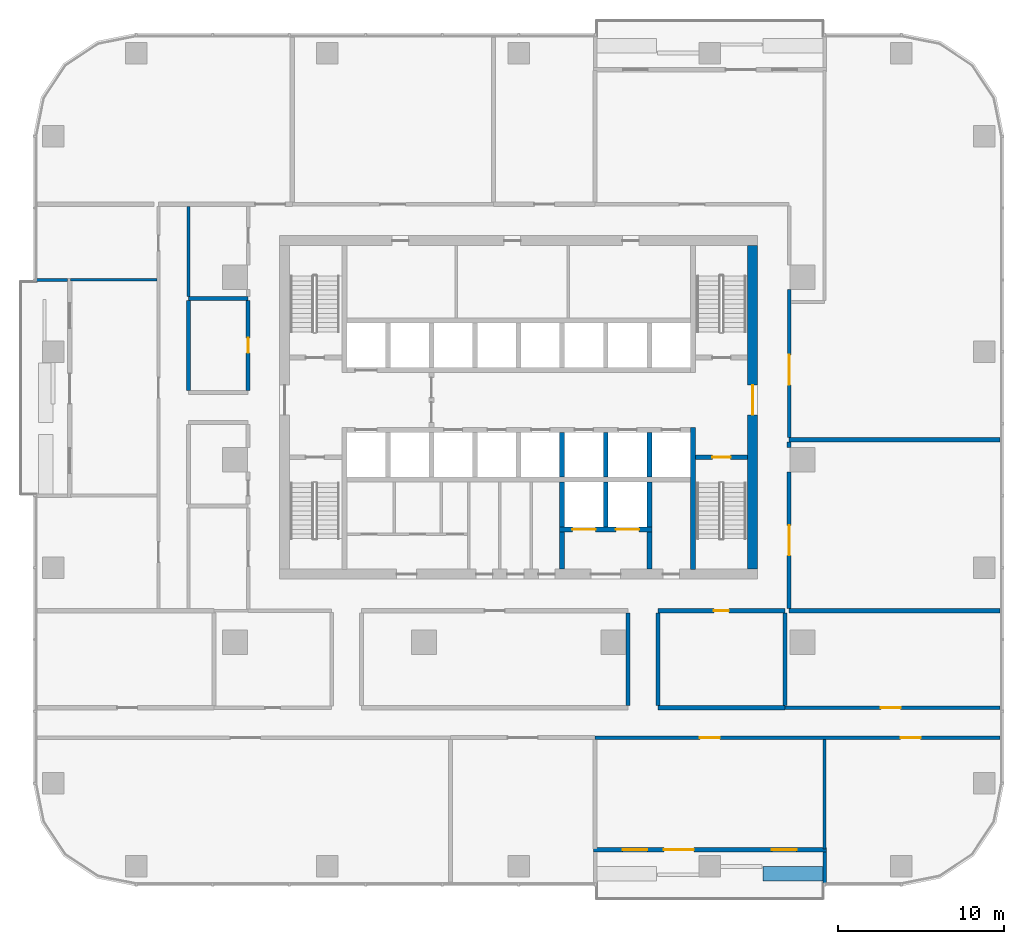
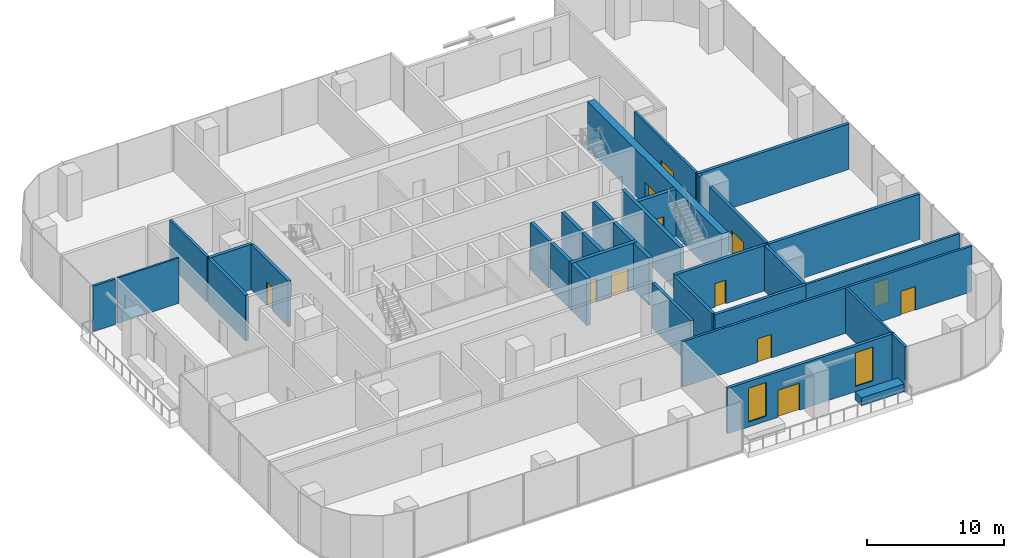
# One storey, part 9 of 15: 34 walls, 12 doors, 2 windows, 14 openings.
"""IFC4 building model written with IfcOpenShell, lengths in metres."""

import ifcopenshell
import ifcopenshell.guid

model = None  # the IFC model being written
_history = None  # IfcOwnerHistory: only IFC2X3 demands one
_inside = {}  # id of a spatial element -> (the spatial element, [elements in it])
_under = {}  # id of a project, library or spatial element -> (it, [spatial elements below it])
_declared = {}  # id of a project -> (the project, [libraries it declares])
_typed = {}  # id of a type object -> (the type object, [elements of that type])
_made_of = {}  # id of a material, layer set ... -> (it, [elements and type objects made of it])


def new_model(schema):
    """Start an empty IFC model of exactly this schema.

    Asked for "IFC4X3", IfcOpenShell would pick the latest addendum, in which some entities
    have other attributes; the version numbers below select the first issue.
    IFC2X3 requires an IfcOwnerHistory on every rooted entity: one is made here for all.
    """
    global model, _history
    if schema == "IFC4X3":
        model = ifcopenshell.file(schema_version=(4, 3, 0, 0))
    else:
        model = ifcopenshell.file(schema=schema)
    _inside.clear()
    _under.clear()
    _declared.clear()
    _typed.clear()
    _made_of.clear()
    _history = None
    if model.schema == "IFC2X3":
        org = make("IfcOrganization", Name="unknown")
        user = make(
            "IfcPersonAndOrganization",
            ThePerson=make("IfcPerson", FamilyName="unknown"),
            TheOrganization=org,
        )
        app = make(
            "IfcApplication",
            ApplicationDeveloper=org,
            Version="unknown",
            ApplicationFullName="unknown",
            ApplicationIdentifier="unknown",
        )
        _history = make(
            "IfcOwnerHistory",
            OwningUser=user,
            OwningApplication=app,
            ChangeAction="ADDED",
            CreationDate=0,
        )
    return model


def make(cls, **values):
    """One entity of the class cls with the attributes given. An attribute that is None is left unset."""
    return model.create_entity(
        cls, **{name: value for name, value in values.items() if value is not None}
    )


def rooted(cls, **values):
    """An entity with a GlobalId (a new one), such as an element, a storey or a relation."""
    return make(cls, GlobalId=ifcopenshell.guid.new(), OwnerHistory=_history, **values)


def si_unit(unit_type, name, prefix=None):
    """IfcSIUnit, for example si_unit("LENGTHUNIT", "METRE", prefix="MILLI")."""
    return make("IfcSIUnit", UnitType=unit_type, Prefix=prefix, Name=name)


def assignment(units):
    """IfcUnitAssignment: the units of a project."""
    return None if units is None else make("IfcUnitAssignment", Units=units)


def point(xyz):
    """IfcCartesianPoint."""
    return None if xyz is None else make("IfcCartesianPoint", Coordinates=xyz)


def direction(xyz):
    """IfcDirection."""
    return None if xyz is None else make("IfcDirection", DirectionRatios=xyz)


def frame(location, z_axis=None, x_axis=None):
    """IfcAxis2Placement3D, a coordinate frame: its origin and axes. An axis left out is left unset."""
    return make(
        "IfcAxis2Placement3D",
        Location=point(location),
        Axis=direction(z_axis),
        RefDirection=direction(x_axis),
    )


def frame_2d(location, x_axis=None):
    """IfcAxis2Placement2D, a coordinate frame in the plane: its origin and x axis."""
    return make(
        "IfcAxis2Placement2D", Location=point(location), RefDirection=direction(x_axis)
    )


def origin():
    """The frame at (0, 0, 0) with its axes left unset."""
    return frame((0.0, 0.0, 0.0))


def place(relative_to, where):
    """IfcLocalPlacement: puts the frame where relative to a parent placement (None: the world)."""
    return make(
        "IfcLocalPlacement", PlacementRelTo=relative_to, RelativePlacement=where
    )


def context(
    kind, dimensions, precision=None, world=None, true_north=None, identifier=None
):
    """IfcGeometricRepresentationContext, for example the 3D "Model" context."""
    return make(
        "IfcGeometricRepresentationContext",
        ContextIdentifier=identifier,
        ContextType=kind,
        CoordinateSpaceDimension=dimensions,
        Precision=precision,
        WorldCoordinateSystem=world,
        TrueNorth=true_north,
    )


def subcontext(parent, identifier, kind, view, scale=None):
    """IfcGeometricRepresentationSubContext, for example "Body" below "Model"."""
    return make(
        "IfcGeometricRepresentationSubContext",
        ContextIdentifier=identifier,
        ContextType=kind,
        ParentContext=parent,
        TargetScale=scale,
        TargetView=view,
    )


def project(units=None, contexts=None):
    """IfcProject with its units and contexts."""
    return rooted(
        "IfcProject",
        Name="project",
        RepresentationContexts=contexts,
        UnitsInContext=assignment(units),
    )


def spatial(cls, under=None, at=None, **own):
    """A site, building, storey or space (cls), placed at a placement, below another one or the project."""
    s = rooted(cls, ObjectPlacement=at, **own)
    if under is not None:
        _under.setdefault(under.id(), (under, []))[1].append(s)
    return s


def profile(cls, at=None, kind="AREA", **sizes):
    """A parametric profile (cls). Its sizes go by their IFC names, for example OverallWidth=200.0."""
    return make(cls, ProfileType=kind, Position=at, **sizes)


def rectangle(**sizes):
    """IfcRectangleProfileDef."""
    return profile("IfcRectangleProfileDef", **sizes)


def extrude(swept, where, along, depth):
    """IfcExtrudedAreaSolid: the profile swept, set in the frame where, extruded along a direction by depth."""
    return make(
        "IfcExtrudedAreaSolid",
        SweptArea=swept,
        Position=where,
        ExtrudedDirection=direction(along),
        Depth=depth,
    )


def shape(context_of_items, identifier, shape_type, items):
    """IfcShapeRepresentation: the items that make up one representation, for example the "Body"."""
    return make(
        "IfcShapeRepresentation",
        ContextOfItems=context_of_items,
        RepresentationIdentifier=identifier,
        RepresentationType=shape_type,
        Items=items,
    )


def material(Name=None, Category=None):
    """IfcMaterial."""
    return make("IfcMaterial", Name=Name, Category=Category)


def layer(
    of_material, thickness, ventilated=None, Name=None, Category=None, Priority=None
):
    """IfcMaterialLayer: one layer of a wall or slab, of a material (None: an air gap)."""
    return make(
        "IfcMaterialLayer",
        Material=of_material,
        LayerThickness=thickness,
        IsVentilated=ventilated,
        Name=Name,
        Category=Category,
        Priority=Priority,
    )


def layer_set(layers, Name=None):
    """IfcMaterialLayerSet."""
    return make("IfcMaterialLayerSet", MaterialLayers=layers, LayerSetName=Name)


def made_of(thing, what):
    """Note that an element or type object is made of a material, layer set ...; save() writes the relation."""
    if what is not None:
        _made_of.setdefault(what.id(), (what, []))[1].append(thing)
    return thing


def type_object(cls, material=None, **own):
    """A type object (cls), such as IfcWallType, which elements share."""
    return made_of(rooted(cls, **own), material)


def element(
    cls,
    number,
    at=None,
    inside=None,
    cuts=None,
    type_object=None,
    material=None,
    context=None,
    identifier="Body",
    shape_type=None,
    held_by="IfcProductDefinitionShape",
    body=None,
    shapes=None,
    **own,
):
    """One element of the class cls, such as IfcWall. Its Tag is "e" and its number.

    at: its placement. inside: the storey or other place that contains it. cuts: it is an
    opening in that element (IfcRelVoidsElement). A single representation is given by context,
    identifier, shape_type and body (its items); several are given by shapes. held_by: the class
    of the entity that holds the representations. save() writes the other relations.
    """
    e = rooted(cls, Tag="e%d" % number, ObjectPlacement=at, **own)
    if body is not None:
        shapes = [shape(context, identifier, shape_type, body)]
    if shapes is not None:
        e.Representation = make(held_by, Representations=shapes)
    if inside is not None:
        _inside.setdefault(inside.id(), (inside, []))[1].append(e)
    if cuts is not None:
        rooted(
            "IfcRelVoidsElement", RelatingBuildingElement=cuts, RelatedOpeningElement=e
        )
    if type_object is not None:
        _typed.setdefault(type_object.id(), (type_object, []))[1].append(e)
    return made_of(e, material)


def fill(opening, filler):
    """IfcRelFillsElement: the door or window that sits in an opening."""
    return rooted(
        "IfcRelFillsElement",
        RelatingOpeningElement=opening,
        RelatedBuildingElement=filler,
    )


def aggregate(whole, parts):
    """IfcRelAggregates: a whole, such as a stair, and the parts it consists of."""
    return rooted("IfcRelAggregates", RelatingObject=whole, RelatedObjects=parts)


def save(model, path):
    """Write the relations noted so far, then the file.

    IfcRelAggregates (storeys below a building ...), IfcRelContainedInSpatialStructure (elements
    in a storey), IfcRelDefinesByType, IfcRelAssociatesMaterial and IfcRelDeclares: one each for
    every whole, place, type object, material and project.
    """
    for whole, parts in _under.values():
        aggregate(whole, parts)
    for where, things in _inside.values():
        rooted(
            "IfcRelContainedInSpatialStructure",
            RelatedElements=things,
            RelatingStructure=where,
        )
    for kind, things in _typed.values():
        rooted("IfcRelDefinesByType", RelatedObjects=things, RelatingType=kind)
    for what, things in _made_of.values():
        rooted("IfcRelAssociatesMaterial", RelatedObjects=things, RelatingMaterial=what)
    for by, libraries in _declared.values():
        rooted("IfcRelDeclares", RelatingContext=by, RelatedDefinitions=libraries)
    model.write(path)


model = new_model("IFC4")

# Units and contexts
model_context = context("Model", 3, precision=1e-05, world=origin(), true_north=direction((0.0, 1.0)))
body_context = subcontext(model_context, "Body", "Model", "MODEL_VIEW")
ifc_project = project(units=[si_unit("LENGTHUNIT", "METRE"), si_unit("AREAUNIT", "SQUARE_METRE"), si_unit("VOLUMEUNIT", "CUBIC_METRE"), si_unit("PLANEANGLEUNIT", "RADIAN"), si_unit("MASSUNIT", "GRAM", prefix="KILO")], contexts=[model_context])

# Site, building, storey
site_placement = place(None, origin())
site = spatial("IfcSite", under=ifc_project, at=site_placement, CompositionType="ELEMENT")
building_placement = place(site_placement, origin())
building = spatial("IfcBuilding", under=site, at=building_placement, Name="Mopane Tessera Tower", CompositionType="ELEMENT")
storey_placement = place(building_placement, frame((0.0, 0.0, 112.60009765625)))
storey = spatial("IfcBuildingStorey", under=building, at=storey_placement, Name="L22", CompositionType="ELEMENT", Elevation=112.60009765625)

# Wall, opening, door
ifc_material_1 = material(Name="Concrete C70/85", Category="concrete")
ifc_layer_1 = layer(ifc_material_1, 0.60009765625)
ifc_layer_set_1 = layer_set([ifc_layer_1], Name="Concrete C70/85")
wall_type_1 = type_object("IfcWallType", Name="Core shear wall 600 mm", PredefinedType="SHEAR", material=ifc_layer_set_1)
wall_1_placement = place(storey_placement, frame((14.10009765625, -6.60009765625, 0.0), z_axis=(0.0, 0.0, 1.0), x_axis=(0.0, 1.0, 0.0)))
wall_1 = element("IfcWall", 1, at=wall_1_placement, inside=storey, type_object=wall_type_1, Name="L22 Core wall east", PredefinedType="SHEAR", context=body_context, shape_type="SweptSolid", body=[
    extrude(rectangle(XDim=19.5, YDim=0.60009765625, at=frame_2d((9.75, 0.0))), origin(), (0.0, 0.0, 1.0), 4.199951171875),
])
opening_1_placement = place(wall_1_placement, frame((9.300048828125, 0.0, 0.0)))
opening_1 = element("IfcOpeningElement", 2, at=opening_1_placement, cuts=wall_1, Name="Opening SD2", PredefinedType="OPENING", context=body_context, shape_type="SweptSolid", body=[
    extrude(rectangle(XDim=1.800048828125, YDim=2.10009765625, at=frame_2d((0.89990234375, 1.050048828125))), frame((0.0, 0.31201171875, 0.0), z_axis=(0.0, -1.0, 0.0), x_axis=(1.0, 0.0, 0.0)), (0.0, 0.0, 1.0), 0.6240234375),
])
ifc_material_2 = material(Name="Steel fire door", Category="steel")
door_type_1 = type_object("IfcDoorType", Name="Core entrance double door 1800 x 2100", OperationType="DOUBLE_DOOR_SINGLE_SWING", PredefinedType="DOOR", material=ifc_material_2)
door_1_placement = place(opening_1_placement, origin())
door_1 = element("IfcDoor", 3, at=door_1_placement, inside=storey, type_object=door_type_1, Name="L22 Core entrance door east", OperationType="DOUBLE_DOOR_SINGLE_SWING", OverallHeight=2.10009765625, OverallWidth=1.800048828125, PredefinedType="DOOR", context=body_context, shape_type="SweptSolid", body=[
    extrude(rectangle(XDim=1.800048828125, YDim=2.10009765625, at=frame_2d((0.89990234375, 1.050048828125))), frame((0.0, 0.02490234375, 0.0), z_axis=(0.0, -1.0, 0.0), x_axis=(1.0, 0.0, 0.0)), (0.0, 0.0, 1.0), 0.050048828125),
])
fill(opening_1, door_1)

# Walls
ifc_material_3 = material(Name="Concrete C60/75", Category="concrete")
ifc_layer_2 = layer(ifc_material_3, 0.300048828125)
ifc_layer_set_2 = layer_set([ifc_layer_2], Name="Concrete C60/75")
wall_type_2 = type_object("IfcWallType", Name="Core spine wall 300 mm", PredefinedType="SHEAR", material=ifc_layer_set_2)
wall_2_placement = place(storey_placement, frame((10.5, -6.60009765625, 0.0), z_axis=(0.0, 0.0, 1.0), x_axis=(0.0, 1.0, 0.0)))
element("IfcWall", 4, at=wall_2_placement, inside=storey, type_object=wall_type_2, Name="L22 Core spine wall", PredefinedType="SHEAR", context=body_context, shape_type="SweptSolid", body=[
    extrude(rectangle(XDim=8.550048828125, YDim=0.300048828125, at=frame_2d((4.27490234375, 0.0))), origin(), (0.0, 0.0, 1.0), 4.199951171875),
])
ifc_material_4 = material(Name="Gypsum board on staggered steel studs, double layer each face, acoustic mineral wool infill", Category="steel")
ifc_layer_3 = layer(ifc_material_4, 0.175048828125)
ifc_layer_set_3 = layer_set([ifc_layer_3], Name="Gypsum board on staggered steel studs, double layer each face, acoustic mineral wool infill")
wall_type_3 = type_object("IfcWallType", Name="Gypsum board acoustic partition 175, rated EI 60", PredefinedType="PARTITIONING", material=ifc_layer_set_3)
wall_3_placement = place(storey_placement, frame((18.43994140625, -23.449951171875, 0.0), z_axis=(0.0, 0.0, 1.0), x_axis=(0.0, 1.0, 0.0)))
element("IfcWall", 5, at=wall_3_placement, inside=storey, type_object=wall_type_3, Name="Partition L22:053", PredefinedType="PARTITIONING", context=body_context, shape_type="SweptSolid", body=[
    extrude(rectangle(XDim=6.599853515625, YDim=0.175048828125, at=frame_2d((3.2998046875, 0.0))), origin(), (0.0, 0.0, 1.0), 4.0498046875),
])

# Wall, openings, doors
ifc_material_5 = material(Name="Gypsum board on steel studs, two layers each face, mineral wool infill", Category="steel")
ifc_layer_4 = layer(ifc_material_5, 0.199951171875)
ifc_layer_set_4 = layer_set([ifc_layer_4], Name="Gypsum board on steel studs, two layers each face, mineral wool infill")
wall_type_4 = type_object("IfcWallType", Name="Gypsum board corridor wall 200, rated EI 60", PredefinedType="PARTITIONING", material=ifc_layer_set_4)
wall_4_placement = place(storey_placement, frame((4.610107421875, -16.75, 0.0), z_axis=(0.0, 0.0, 1.0), x_axis=(1.0, 0.0, 0.0)))
wall_4 = element("IfcWall", 6, at=wall_4_placement, inside=storey, type_object=wall_type_4, Name="Partition L22:001", PredefinedType="PARTITIONING", context=body_context, shape_type="SweptSolid", body=[
    extrude(rectangle(XDim=24.389892578125, YDim=0.199951171875, at=frame_2d((12.19482421875, 0.0))), origin(), (0.0, 0.0, 1.0), 4.0498046875),
])
opening_2_placement = place(wall_4_placement, frame((18.409912109375, 0.0, 0.0)))
opening_2 = element("IfcOpeningElement", 7, at=opening_2_placement, cuts=wall_4, Name="Opening L22-05", PredefinedType="OPENING", context=body_context, shape_type="SweptSolid", body=[
    extrude(rectangle(XDim=1.199951171875, YDim=2.10009765625, at=frame_2d((0.60009765625, 1.050048828125))), frame((0.0, 0.112060546875, 0.0), z_axis=(0.0, -1.0, 0.0), x_axis=(1.0, 0.0, 0.0)), (0.0, 0.0, 1.0), 0.223876953125),
])
opening_3_placement = place(wall_4_placement, frame((6.31494140625, 0.0, 0.0)))
opening_3 = element("IfcOpeningElement", 8, at=opening_3_placement, cuts=wall_4, Name="Opening L22-17", PredefinedType="OPENING", context=body_context, shape_type="SweptSolid", body=[
    extrude(rectangle(XDim=1.199951171875, YDim=2.10009765625, at=frame_2d((0.60009765625, 1.050048828125))), frame((0.0, 0.112060546875, 0.0), z_axis=(0.0, -1.0, 0.0), x_axis=(1.0, 0.0, 0.0)), (0.0, 0.0, 1.0), 0.223876953125),
])
ifc_material_6 = material(Name="Timber veneered steel-framed fire door", Category="steel")
door_type_2 = type_object("IfcDoorType", Name="Fire door FD60 1200 x 2100", OperationType="SINGLE_SWING_LEFT", PredefinedType="DOOR", material=ifc_material_6)
door_2_placement = place(opening_2_placement, origin())
door_2 = element("IfcDoor", 9, at=door_2_placement, inside=storey, type_object=door_type_2, Name="Door L22-05", ObjectType="D15A", OperationType="SINGLE_SWING_LEFT", OverallHeight=2.10009765625, OverallWidth=1.199951171875, PredefinedType="DOOR", context=body_context, shape_type="SweptSolid", body=[
    extrude(rectangle(XDim=1.199951171875, YDim=2.10009765625, at=frame_2d((0.60009765625, 1.050048828125))), frame((0.0, 0.02490234375, 0.0), z_axis=(0.0, -1.0, 0.0), x_axis=(1.0, 0.0, 0.0)), (0.0, 0.0, 1.0), 0.050048828125),
])
fill(opening_2, door_2)
door_3_placement = place(opening_3_placement, origin())
door_3 = element("IfcDoor", 10, at=door_3_placement, inside=storey, type_object=door_type_2, Name="Door L22-17", ObjectType="D15A", OperationType="SINGLE_SWING_LEFT", OverallHeight=2.10009765625, OverallWidth=1.199951171875, PredefinedType="DOOR", context=body_context, shape_type="SweptSolid", body=[
    extrude(rectangle(XDim=1.199951171875, YDim=2.10009765625, at=frame_2d((0.60009765625, 1.050048828125))), frame((0.0, 0.02490234375, 0.0), z_axis=(0.0, -1.0, 0.0), x_axis=(1.0, 0.0, 0.0)), (0.0, 0.0, 1.0), 0.050048828125),
])
fill(opening_3, door_3)

# Wall, opening, door
wall_5_placement = place(storey_placement, frame((16.044921875, -14.949951171875, 0.0), z_axis=(0.0, 0.0, 1.0), x_axis=(1.0, 0.0, 0.0)))
wall_5 = element("IfcWall", 11, at=wall_5_placement, inside=storey, type_object=wall_type_4, Name="Partition L22:004", PredefinedType="PARTITIONING", context=body_context, shape_type="SweptSolid", body=[
    extrude(rectangle(XDim=12.955078125, YDim=0.199951171875, at=frame_2d((6.4775390625, 0.0))), origin(), (0.0, 0.0, 1.0), 4.0498046875),
])
opening_4_placement = place(wall_5_placement, frame((5.777587890625, 0.0, 0.0)))
opening_4 = element("IfcOpeningElement", 12, at=opening_4_placement, cuts=wall_5, Name="Opening L22-21", PredefinedType="OPENING", context=body_context, shape_type="SweptSolid", body=[
    extrude(rectangle(XDim=1.199951171875, YDim=2.10009765625, at=frame_2d((0.60009765625, 1.050048828125))), frame((0.0, 0.112060546875, 0.0), z_axis=(0.0, -1.0, 0.0), x_axis=(1.0, 0.0, 0.0)), (0.0, 0.0, 1.0), 0.223876953125),
])
door_4_placement = place(opening_4_placement, origin())
door_4 = element("IfcDoor", 13, at=door_4_placement, inside=storey, type_object=door_type_2, Name="Door L22-21", ObjectType="D15A", OperationType="SINGLE_SWING_RIGHT", OverallHeight=2.10009765625, OverallWidth=1.199951171875, PredefinedType="DOOR", context=body_context, shape_type="SweptSolid", body=[
    extrude(rectangle(XDim=1.199951171875, YDim=2.10009765625, at=frame_2d((0.60009765625, 1.050048828125))), frame((0.0, 0.02490234375, 0.0), z_axis=(0.0, -1.0, 0.0), x_axis=(1.0, 0.0, 0.0)), (0.0, 0.0, 1.0), 0.050048828125),
])
fill(opening_4, door_4)

# Wall
wall_6_placement = place(storey_placement, frame((-19.89990234375, 9.85009765625, 0.0), z_axis=(0.0, 0.0, 1.0), x_axis=(0.0, 1.0, 0.0)))
element("IfcWall", 14, at=wall_6_placement, inside=storey, type_object=wall_type_4, Name="Partition L22:029", PredefinedType="PARTITIONING", context=body_context, shape_type="SweptSolid", body=[
    extrude(rectangle(XDim=5.4248046875, YDim=0.199951171875, at=frame_2d((2.71240234375, 0.0))), origin(), (0.0, 0.0, 1.0), 4.0498046875),
])

# Wall, opening, door
wall_7_placement = place(storey_placement, frame((16.300048828125, 1.324951171875, 0.0), z_axis=(0.0, 0.0, 1.0), x_axis=(0.0, 1.0, 0.0)))
wall_7 = element("IfcWall", 15, at=wall_7_placement, inside=storey, type_object=wall_type_4, Name="Partition L22:049", PredefinedType="PARTITIONING", context=body_context, shape_type="SweptSolid", body=[
    extrude(rectangle(XDim=8.925048828125, YDim=0.199951171875, at=frame_2d((4.46240234375, 0.0))), origin(), (0.0, 0.0, 1.0), 4.0498046875),
])
opening_5_placement = place(wall_7_placement, frame((3.1875, 0.0, 0.0)))
opening_5 = element("IfcOpeningElement", 16, at=opening_5_placement, cuts=wall_7, Name="Opening L22-04", PredefinedType="OPENING", context=body_context, shape_type="SweptSolid", body=[
    extrude(rectangle(XDim=1.800048828125, YDim=2.10009765625, at=frame_2d((0.89990234375, 1.050048828125))), frame((0.0, 0.112060546875, 0.0), z_axis=(0.0, -1.0, 0.0), x_axis=(1.0, 0.0, 0.0)), (0.0, 0.0, 1.0), 0.223876953125),
])
ifc_material_7 = material(Name="Timber veneered steel-framed fire door", Category="steel")
door_type_3 = type_object("IfcDoorType", Name="Fire door pair FD60 1800 x 2100", OperationType="DOUBLE_DOOR_SINGLE_SWING", PredefinedType="DOOR", material=ifc_material_7)
door_5_placement = place(opening_5_placement, origin())
door_5 = element("IfcDoor", 17, at=door_5_placement, inside=storey, type_object=door_type_3, Name="Door L22-04", ObjectType="D20A", OperationType="DOUBLE_DOOR_SINGLE_SWING", OverallHeight=2.10009765625, OverallWidth=1.800048828125, PredefinedType="DOOR", context=body_context, shape_type="SweptSolid", body=[
    extrude(rectangle(XDim=1.800048828125, YDim=2.10009765625, at=frame_2d((0.89990234375, 1.050048828125))), frame((0.0, 0.02490234375, 0.0), z_axis=(0.0, -1.0, 0.0), x_axis=(1.0, 0.0, 0.0)), (0.0, 0.0, 1.0), 0.050048828125),
])
fill(opening_5, door_5)

# Wall
ifc_material_8 = material(Name="Gypsum board on steel studs, mineral wool infill", Category="steel")
ifc_layer_5 = layer(ifc_material_8, 0.14990234375)
ifc_layer_set_5 = layer_set([ifc_layer_5], Name="Gypsum board on steel studs, mineral wool infill")
wall_type_5 = type_object("IfcWallType", Name="Gypsum board partition 150, rated EI 60", PredefinedType="PARTITIONING", material=ifc_layer_set_5)
wall_8_placement = place(storey_placement, frame((-27.0, 10.8349609375, 0.0), z_axis=(0.0, 0.0, 1.0), x_axis=(1.0, 0.0, 0.0)))
element("IfcWall", 18, at=wall_8_placement, inside=storey, type_object=wall_type_5, Name="Partition L22:021", PredefinedType="PARTITIONING", context=body_context, shape_type="SweptSolid", body=[
    extrude(rectangle(XDim=5.199951171875, YDim=0.14990234375, at=frame_2d((2.60009765625, 0.0))), origin(), (0.0, 0.0, 1.0), 4.0498046875),
])

# Wall, opening, door
ifc_material_9 = material(Name="Concrete C50/60", Category="concrete")
ifc_layer_6 = layer(ifc_material_9, 0.300048828125)
ifc_layer_set_6 = layer_set([ifc_layer_6], Name="Concrete C50/60")
wall_type_6 = type_object("IfcWallType", Name="Lift and stair shaft wall 300 mm", PredefinedType="SOLIDWALL", material=ifc_layer_set_6)
wall_9_placement = place(storey_placement, frame((10.64990234375, 0.14990234375, 0.0), z_axis=(0.0, 0.0, 1.0), x_axis=(1.0, 0.0, 0.0)))
wall_9 = element("IfcWall", 19, at=wall_9_placement, inside=storey, type_object=wall_type_6, Name="L22 Stair enclosure wall", PredefinedType="SOLIDWALL", context=body_context, shape_type="SweptSolid", body=[
    extrude(rectangle(XDim=3.150146484375, YDim=0.300048828125, at=frame_2d((1.5751953125, 0.0))), origin(), (0.0, 0.0, 1.0), 4.199951171875),
])
opening_6_placement = place(wall_9_placement, frame((1.02490234375, 0.0, 0.0)))
opening_6 = element("IfcOpeningElement", 20, at=opening_6_placement, cuts=wall_9, Name="Opening SD1", PredefinedType="OPENING", context=body_context, shape_type="SweptSolid", body=[
    extrude(rectangle(XDim=1.10009765625, YDim=2.10009765625, at=frame_2d((0.550048828125, 1.050048828125))), frame((0.0, 0.162109375, 0.0), z_axis=(0.0, -1.0, 0.0), x_axis=(1.0, 0.0, 0.0)), (0.0, 0.0, 1.0), 0.323974609375),
])
ifc_material_10 = material(Name="Steel fire door", Category="steel")
door_type_4 = type_object("IfcDoorType", Name="Stair fire door 1100 x 2100", OperationType="SINGLE_SWING_LEFT", PredefinedType="DOOR", material=ifc_material_10)
door_6_placement = place(opening_6_placement, origin())
door_6 = element("IfcDoor", 21, at=door_6_placement, inside=storey, type_object=door_type_4, Name="L22 Stair door ST3", OperationType="SINGLE_SWING_RIGHT", OverallHeight=2.10009765625, OverallWidth=1.10009765625, PredefinedType="DOOR", context=body_context, shape_type="SweptSolid", body=[
    extrude(rectangle(XDim=1.10009765625, YDim=2.10009765625, at=frame_2d((0.550048828125, 1.050048828125))), frame((0.0, 0.02490234375, 0.0), z_axis=(0.0, -1.0, 0.0), x_axis=(1.0, 0.0, 0.0)), (0.0, 0.0, 1.0), 0.050048828125),
])
fill(opening_6, door_6)

# Walls
for number, where, z_axis, x_axis, name in (
    (22, (2.625, -1.050048828125, 0.0), (0.0, 0.0, 1.0), (0.0, 1.0, 0.0), "L22 Lift shaft wall"),
    (23, (5.25, -1.050048828125, 0.0), (0.0, 0.0, 1.0), (0.0, 1.0, 0.0), "L22 Lift shaft wall"),
    (24, (7.875, -1.050048828125, 0.0), (0.0, 0.0, 1.0), (0.0, 1.0, 0.0), "L22 Lift shaft wall"),
):
    element("IfcWall", number, at=place(storey_placement, frame(where, z_axis=z_axis, x_axis=x_axis)), inside=storey, type_object=wall_type_6, Name=name, PredefinedType="SOLIDWALL", context=body_context, shape_type="SweptSolid", body=[
        extrude(rectangle(XDim=2.699951171875, YDim=0.300048828125, at=frame_2d((1.35009765625, 0.0))), origin(), (0.0, 0.0, 1.0), 4.199951171875),
    ])

# Wall, openings, doors
wall_10_placement = place(storey_placement, frame((2.47509765625, -4.199951171875, 0.0), z_axis=(0.0, 0.0, 1.0), x_axis=(1.0, 0.0, 0.0)))
wall_10 = element("IfcWall", 25, at=wall_10_placement, inside=storey, type_object=wall_type_6, Name="L22 Lift shaft front wall", PredefinedType="SOLIDWALL", context=body_context, shape_type="SweptSolid", body=[
    extrude(rectangle(XDim=5.5498046875, YDim=0.300048828125, at=frame_2d((2.77490234375, 0.0))), origin(), (0.0, 0.0, 1.0), 4.199951171875),
])
opening_7_placement = place(wall_10_placement, frame((0.762451171875, 0.0, 0.0)))
opening_7 = element("IfcOpeningElement", 26, at=opening_7_placement, cuts=wall_10, Name="Opening LD3", PredefinedType="OPENING", context=body_context, shape_type="SweptSolid", body=[
    extrude(rectangle(XDim=1.39990234375, YDim=2.10009765625, at=frame_2d((0.699951171875, 1.050048828125))), frame((0.0, 0.162109375, 0.0), z_axis=(0.0, -1.0, 0.0), x_axis=(1.0, 0.0, 0.0)), (0.0, 0.0, 1.0), 0.323974609375),
])
opening_8_placement = place(wall_10_placement, frame((3.387451171875, 0.0, 0.0)))
opening_8 = element("IfcOpeningElement", 27, at=opening_8_placement, cuts=wall_10, Name="Opening LD3", PredefinedType="OPENING", context=body_context, shape_type="SweptSolid", body=[
    extrude(rectangle(XDim=1.39990234375, YDim=2.10009765625, at=frame_2d((0.699951171875, 1.050048828125))), frame((0.0, 0.162109375, 0.0), z_axis=(0.0, -1.0, 0.0), x_axis=(1.0, 0.0, 0.0)), (0.0, 0.0, 1.0), 0.323974609375),
])
ifc_material_11 = material(Name="Stainless steel sliding door", Category="steel")
door_type_5 = type_object("IfcDoorType", Name="Service lift landing door 1400 x 2100", OperationType="DOUBLE_DOOR_SLIDING", PredefinedType="DOOR", material=ifc_material_11)
door_7_placement = place(opening_7_placement, origin())
door_7 = element("IfcDoor", 28, at=door_7_placement, inside=storey, type_object=door_type_5, Name="L22 Lift landing door SV1", OperationType="DOUBLE_DOOR_SLIDING", OverallHeight=2.10009765625, OverallWidth=1.39990234375, PredefinedType="DOOR", context=body_context, shape_type="SweptSolid", body=[
    extrude(rectangle(XDim=1.39990234375, YDim=2.10009765625, at=frame_2d((0.699951171875, 1.050048828125))), frame((0.0, 0.02490234375, 0.0), z_axis=(0.0, -1.0, 0.0), x_axis=(1.0, 0.0, 0.0)), (0.0, 0.0, 1.0), 0.050048828125),
])
fill(opening_7, door_7)
door_8_placement = place(opening_8_placement, origin())
door_8 = element("IfcDoor", 29, at=door_8_placement, inside=storey, type_object=door_type_5, Name="L22 Lift landing door SV2", OperationType="DOUBLE_DOOR_SLIDING", OverallHeight=2.10009765625, OverallWidth=1.39990234375, PredefinedType="DOOR", context=body_context, shape_type="SweptSolid", body=[
    extrude(rectangle(XDim=1.39990234375, YDim=2.10009765625, at=frame_2d((0.699951171875, 1.050048828125))), frame((0.0, 0.02490234375, 0.0), z_axis=(0.0, -1.0, 0.0), x_axis=(1.0, 0.0, 0.0)), (0.0, 0.0, 1.0), 0.050048828125),
])
fill(opening_8, door_8)

# Walls
for number, where, z_axis, x_axis, name in (
    (30, (2.625, -4.050048828125, 0.0), (0.0, 0.0, 1.0), (0.0, 1.0, 0.0), "L22 Lift shaft wall"),
    (31, (5.25, -4.050048828125, 0.0), (0.0, 0.0, 1.0), (0.0, 1.0, 0.0), "L22 Lift shaft wall"),
    (32, (7.875, -4.050048828125, 0.0), (0.0, 0.0, 1.0), (0.0, 1.0, 0.0), "L22 Lift shaft wall"),
):
    element("IfcWall", number, at=place(storey_placement, frame(where, z_axis=z_axis, x_axis=x_axis)), inside=storey, type_object=wall_type_6, Name=name, PredefinedType="SOLIDWALL", context=body_context, shape_type="SweptSolid", body=[
        extrude(rectangle(XDim=2.699951171875, YDim=0.300048828125, at=frame_2d((1.35009765625, 0.0))), origin(), (0.0, 0.0, 1.0), 4.199951171875),
    ])
ifc_material_12 = material(Name="Concrete C50/60", Category="concrete")
ifc_layer_7 = layer(ifc_material_12, 0.300048828125)
ifc_layer_set_7 = layer_set([ifc_layer_7], Name="Concrete C50/60")
wall_type_7 = type_object("IfcWallType", Name="Lobby and refuge room wall 300 mm", PredefinedType="SOLIDWALL", material=ifc_layer_set_7)
for number, where, z_axis, x_axis, name in (
    (33, (2.625, -6.60009765625, 0.0), (0.0, 0.0, 1.0), (0.0, 1.0, 0.0), "L22 Service lobby wall"),
    (34, (7.875, -6.60009765625, 0.0), (0.0, 0.0, 1.0), (0.0, 1.0, 0.0), "L22 Service lobby wall"),
):
    element("IfcWall", number, at=place(storey_placement, frame(where, z_axis=z_axis, x_axis=x_axis)), inside=storey, type_object=wall_type_7, Name=name, PredefinedType="SOLIDWALL", context=body_context, shape_type="SweptSolid", body=[
        extrude(rectangle(XDim=2.25, YDim=0.300048828125, at=frame_2d((1.125, 0.0))), origin(), (0.0, 0.0, 1.0), 4.199951171875),
    ])
ifc_material_13 = material(Name="Reinforced concrete C32/40 with waterproofing", Category="concrete")
ifc_layer_8 = layer(ifc_material_13, 0.89990234375)
ifc_layer_set_8 = layer_set([ifc_layer_8], Name="Reinforced concrete C32/40 with waterproofing")
wall_type_8 = type_object("IfcWallType", Name="Planter trough 3600 x 900", PredefinedType="STANDARD", material=ifc_layer_set_8)
wall_11_placement = place(storey_placement, frame((14.739990234375, -24.949951171875, 0.0), z_axis=(0.0, 0.0, 1.0), x_axis=(1.0, 0.0, 0.0)))
element("IfcWall", 35, at=wall_11_placement, inside=storey, type_object=wall_type_8, Name="e:nw:L22:N3:pl1", PredefinedType="STANDARD", context=body_context, shape_type="SweptSolid", body=[
    extrude(rectangle(XDim=3.60009765625, YDim=0.89990234375, at=frame_2d((1.800048828125, 0.0))), origin(), (0.0, 0.0, 1.0), 0.699951171875),
])
ifc_material_14 = material(Name="Plastered concrete blockwork C20/25", Category="masonry")
ifc_layer_9 = layer(ifc_material_14, 0.25)
ifc_layer_set_9 = layer_set([ifc_layer_9], Name="Plastered concrete blockwork C20/25")
wall_type_9 = type_object("IfcWallType", Name="Plastered blockwork wall 250, rated EI 120", PredefinedType="PARTITIONING", material=ifc_layer_set_9)
wall_12_placement = place(storey_placement, frame((8.389892578125, -14.949951171875, 0.0), z_axis=(0.0, 0.0, 1.0), x_axis=(1.0, 0.0, 0.0)))
element("IfcWall", 36, at=wall_12_placement, inside=storey, type_object=wall_type_9, Name="Partition L22:007", PredefinedType="PARTITIONING", context=body_context, shape_type="SweptSolid", body=[
    extrude(rectangle(XDim=7.655029296875, YDim=0.25, at=frame_2d((3.82763671875, 0.0))), origin(), (0.0, 0.0, 1.0), 4.0498046875),
])

# Wall, opening, door
wall_13_placement = place(storey_placement, frame((8.389892578125, -9.10009765625, 0.0), z_axis=(0.0, 0.0, 1.0), x_axis=(1.0, 0.0, 0.0)))
wall_13 = element("IfcWall", 37, at=wall_13_placement, inside=storey, type_object=wall_type_9, Name="Partition L22:012", PredefinedType="PARTITIONING", context=body_context, shape_type="SweptSolid", body=[
    extrude(rectangle(XDim=7.655029296875, YDim=0.25, at=frame_2d((3.82763671875, 0.0))), origin(), (0.0, 0.0, 1.0), 4.0498046875),
])
opening_9_placement = place(wall_13_placement, frame((3.37744140625, 0.0, 0.0)))
opening_9 = element("IfcOpeningElement", 38, at=opening_9_placement, cuts=wall_13, Name="Opening L22-10", PredefinedType="OPENING", context=body_context, shape_type="SweptSolid", body=[
    extrude(rectangle(XDim=0.89990234375, YDim=2.10009765625, at=frame_2d((0.449951171875, 1.050048828125))), frame((0.0, 0.136962890625, 0.0), z_axis=(0.0, -1.0, 0.0), x_axis=(1.0, 0.0, 0.0)), (0.0, 0.0, 1.0), 0.27392578125),
])
ifc_material_15 = material(Name="Timber veneered steel-framed fire door", Category="steel")
door_type_6 = type_object("IfcDoorType", Name="Fire door FD120 900 x 2100", OperationType="SINGLE_SWING_LEFT", PredefinedType="DOOR", material=ifc_material_15)
door_9_placement = place(opening_9_placement, origin())
door_9 = element("IfcDoor", 39, at=door_9_placement, inside=storey, type_object=door_type_6, Name="Door L22-10", ObjectType="D10B", OperationType="SINGLE_SWING_LEFT", OverallHeight=2.10009765625, OverallWidth=0.89990234375, PredefinedType="DOOR", context=body_context, shape_type="SweptSolid", body=[
    extrude(rectangle(XDim=0.89990234375, YDim=2.10009765625, at=frame_2d((0.449951171875, 1.050048828125))), frame((0.0, 0.02490234375, 0.0), z_axis=(0.0, -1.0, 0.0), x_axis=(1.0, 0.0, 0.0)), (0.0, 0.0, 1.0), 0.050048828125),
])
fill(opening_9, door_9)

# Walls
for number, where, z_axis, x_axis, name in (
    (40, (16.300048828125, -9.10009765625, 0.0), (0.0, 0.0, 1.0), (1.0, 0.0, 0.0), "Partition L22:013"),
    (41, (16.300048828125, 1.199951171875, 0.0), (0.0, 0.0, 1.0), (1.0, 0.0, 0.0), "Partition L22:016"),
):
    element("IfcWall", number, at=place(storey_placement, frame(where, z_axis=z_axis, x_axis=x_axis)), inside=storey, type_object=wall_type_9, Name=name, PredefinedType="PARTITIONING", context=body_context, shape_type="SweptSolid", body=[
        extrude(rectangle(XDim=12.699951171875, YDim=0.25, at=frame_2d((6.35009765625, 0.0))), origin(), (0.0, 0.0, 1.0), 4.0498046875),
    ])
wall_14_placement = place(storey_placement, frame((-19.89990234375, 9.72509765625, 0.0), z_axis=(0.0, 0.0, 1.0), x_axis=(1.0, 0.0, 0.0)))
element("IfcWall", 42, at=wall_14_placement, inside=storey, type_object=wall_type_9, Name="Partition L22:020", PredefinedType="PARTITIONING", context=body_context, shape_type="SweptSolid", body=[
    extrude(rectangle(XDim=3.599853515625, YDim=0.25, at=frame_2d((1.7998046875, 0.0))), origin(), (0.0, 0.0, 1.0), 4.0498046875),
])
wall_15_placement = place(storey_placement, frame((-19.89990234375, 4.175048828125, 0.0), z_axis=(0.0, 0.0, 1.0), x_axis=(0.0, 1.0, 0.0)))
element("IfcWall", 43, at=wall_15_placement, inside=storey, type_object=wall_type_9, Name="Partition L22:031", PredefinedType="PARTITIONING", context=body_context, shape_type="SweptSolid", body=[
    extrude(rectangle(XDim=5.425048828125, YDim=0.25, at=frame_2d((2.71240234375, 0.0))), origin(), (0.0, 0.0, 1.0), 4.0498046875),
])

# Wall, opening, door
wall_16_placement = place(storey_placement, frame((-16.300048828125, 4.175048828125, 0.0), z_axis=(0.0, 0.0, 1.0), x_axis=(0.0, 1.0, 0.0)))
wall_16 = element("IfcWall", 44, at=wall_16_placement, inside=storey, type_object=wall_type_9, Name="Partition L22:038", PredefinedType="PARTITIONING", context=body_context, shape_type="SweptSolid", body=[
    extrude(rectangle(XDim=5.425048828125, YDim=0.25, at=frame_2d((2.71240234375, 0.0))), origin(), (0.0, 0.0, 1.0), 4.0498046875),
])
opening_10_placement = place(wall_16_placement, frame((2.262451171875, 0.0, 0.0)))
opening_10 = element("IfcOpeningElement", 45, at=opening_10_placement, cuts=wall_16, Name="Opening L22-09", PredefinedType="OPENING", context=body_context, shape_type="SweptSolid", body=[
    extrude(rectangle(XDim=0.89990234375, YDim=2.10009765625, at=frame_2d((0.449951171875, 1.050048828125))), frame((0.0, 0.136962890625, 0.0), z_axis=(0.0, -1.0, 0.0), x_axis=(1.0, 0.0, 0.0)), (0.0, 0.0, 1.0), 0.27392578125),
])
door_10_placement = place(opening_10_placement, origin())
door_10 = element("IfcDoor", 46, at=door_10_placement, inside=storey, type_object=door_type_6, Name="Door L22-09", ObjectType="D10B", OperationType="SINGLE_SWING_LEFT", OverallHeight=2.10009765625, OverallWidth=0.89990234375, PredefinedType="DOOR", context=body_context, shape_type="SweptSolid", body=[
    extrude(rectangle(XDim=0.89990234375, YDim=2.10009765625, at=frame_2d((0.449951171875, 1.050048828125))), frame((0.0, 0.02490234375, 0.0), z_axis=(0.0, -1.0, 0.0), x_axis=(1.0, 0.0, 0.0)), (0.0, 0.0, 1.0), 0.050048828125),
])
fill(opening_10, door_10)

# Walls
for number, where, z_axis, x_axis, name in (
    (47, (6.590087890625, -14.824951171875, 0.0), (0.0, 0.0, 1.0), (0.0, 1.0, 0.0), "Partition L22:046"),
    (48, (8.389892578125, -14.824951171875, 0.0), (0.0, 0.0, 1.0), (0.0, 1.0, 0.0), "Partition L22:047"),
    (49, (16.044921875, -14.824951171875, 0.0), (0.0, 0.0, 1.0), (0.0, 1.0, 0.0), "Partition L22:048"),
):
    element("IfcWall", number, at=place(storey_placement, frame(where, z_axis=z_axis, x_axis=x_axis)), inside=storey, type_object=wall_type_9, Name=name, PredefinedType="PARTITIONING", context=body_context, shape_type="SweptSolid", body=[
        extrude(rectangle(XDim=5.599853515625, YDim=0.25, at=frame_2d((2.7998046875, 0.0))), origin(), (0.0, 0.0, 1.0), 4.0498046875),
    ])

# Wall, opening, door
wall_17_placement = place(storey_placement, frame((16.300048828125, -8.97509765625, 0.0), z_axis=(0.0, 0.0, 1.0), x_axis=(0.0, 1.0, 0.0)))
wall_17 = element("IfcWall", 50, at=wall_17_placement, inside=storey, type_object=wall_type_9, Name="Partition L22:051", PredefinedType="PARTITIONING", context=body_context, shape_type="SweptSolid", body=[
    extrude(rectangle(XDim=8.22509765625, YDim=0.25, at=frame_2d((4.112548828125, 0.0))), origin(), (0.0, 0.0, 1.0), 4.0498046875),
])
opening_11_placement = place(wall_17_placement, frame((3.21240234375, 0.0, 0.0)))
opening_11 = element("IfcOpeningElement", 51, at=opening_11_placement, cuts=wall_17, Name="Opening L22-06", PredefinedType="OPENING", context=body_context, shape_type="SweptSolid", body=[
    extrude(rectangle(XDim=1.800048828125, YDim=2.10009765625, at=frame_2d((0.89990234375, 1.050048828125))), frame((0.0, 0.136962890625, 0.0), z_axis=(0.0, -1.0, 0.0), x_axis=(1.0, 0.0, 0.0)), (0.0, 0.0, 1.0), 0.27392578125),
])
ifc_material_16 = material(Name="Timber veneered steel-framed fire door", Category="steel")
door_type_7 = type_object("IfcDoorType", Name="Fire door pair FD120 1800 x 2100", OperationType="DOUBLE_DOOR_SINGLE_SWING", PredefinedType="DOOR", material=ifc_material_16)
door_11_placement = place(opening_11_placement, origin())
door_11 = element("IfcDoor", 52, at=door_11_placement, inside=storey, type_object=door_type_7, Name="Door L22-06", ObjectType="D20B", OperationType="DOUBLE_DOOR_SINGLE_SWING", OverallHeight=2.10009765625, OverallWidth=1.800048828125, PredefinedType="DOOR", context=body_context, shape_type="SweptSolid", body=[
    extrude(rectangle(XDim=1.800048828125, YDim=2.10009765625, at=frame_2d((0.89990234375, 1.050048828125))), frame((0.0, 0.02490234375, 0.0), z_axis=(0.0, -1.0, 0.0), x_axis=(1.0, 0.0, 0.0)), (0.0, 0.0, 1.0), 0.050048828125),
])
fill(opening_11, door_11)

# Walls
wall_18_placement = place(storey_placement, frame((16.300048828125, 0.75, 0.0), z_axis=(0.0, 0.0, 1.0), x_axis=(0.0, 1.0, 0.0)))
element("IfcWall", 53, at=wall_18_placement, inside=storey, type_object=wall_type_9, Name="Partition L22:052", PredefinedType="PARTITIONING", context=body_context, shape_type="SweptSolid", body=[
    extrude(rectangle(XDim=0.324951171875, YDim=0.25, at=frame_2d((0.16259765625, 0.0))), origin(), (0.0, 0.0, 1.0), 4.0498046875),
])
ifc_material_17 = material(Name="Blockwork with glazed tile facing", Category="masonry")
ifc_layer_10 = layer(ifc_material_17, 0.199951171875)
ifc_layer_set_10 = layer_set([ifc_layer_10], Name="Blockwork with glazed tile facing")
wall_type_10 = type_object("IfcWallType", Name="Terrace cheek wall 200", PredefinedType="STANDARD", material=ifc_layer_set_10)
for number, where, z_axis, x_axis, name in (
    (54, (-29.050048828125, 10.833251953125, 0.0), (0.0, 0.0, 1.0), (1.0, 0.0, 0.0), "e:nw:L22:N2:cheeka"),
    (55, (18.43994140625, -25.5, 0.0), (0.0, 0.0, 1.0), (0.0, 1.0, 0.0), "e:nw:L22:N3:cheekb"),
):
    element("IfcWall", number, at=place(storey_placement, frame(where, z_axis=z_axis, x_axis=x_axis)), inside=storey, type_object=wall_type_10, Name=name, PredefinedType="STANDARD", context=body_context, shape_type="SweptSolid", body=[
        extrude(rectangle(XDim=1.875, YDim=0.199951171875, at=frame_2d((0.9375, 0.0))), origin(), (0.0, 0.0, 1.0), 4.0498046875),
    ])

# Wall, openings, windows, door
ifc_material_18 = material(Name="Blockwork with turquoise glazed tile facing", Category="masonry")
ifc_layer_11 = layer(ifc_material_18, 0.25)
ifc_layer_set_11 = layer_set([ifc_layer_11], Name="Blockwork with turquoise glazed tile facing")
wall_type_11 = type_object("IfcWallType", Name="Tile-clad external wall 250, turquoise", PredefinedType="STANDARD", material=ifc_layer_set_11)
wall_19_placement = place(storey_placement, frame((4.510009765625, -23.5, 0.0), z_axis=(0.0, 0.0, 1.0), x_axis=(1.0, 0.0, 0.0)))
wall_19 = element("IfcWall", 56, at=wall_19_placement, inside=storey, type_object=wall_type_11, Name="e:nw:L22:N3:back", PredefinedType="STANDARD", context=body_context, shape_type="SweptSolid", body=[
    extrude(rectangle(XDim=14.030029296875, YDim=0.25, at=frame_2d((7.01513671875, 0.0))), origin(), (0.0, 0.0, 1.0), 4.0498046875),
])
opening_12_placement = place(wall_19_placement, frame((1.75, 0.0, 0.449951171875)))
opening_12 = element("IfcOpeningElement", 57, at=opening_12_placement, cuts=wall_19, Name="Opening NW223A", PredefinedType="OPENING", context=body_context, shape_type="SweptSolid", body=[
    extrude(rectangle(XDim=1.5, YDim=3.0, at=frame_2d((0.75, 1.5))), frame((0.0, 0.136962890625, 0.0), z_axis=(0.0, -1.0, 0.0), x_axis=(1.0, 0.0, 0.0)), (0.0, 0.0, 1.0), 0.27392578125),
])
opening_13_placement = place(wall_19_placement, frame((4.25, 0.0, 0.0)))
opening_13 = element("IfcOpeningElement", 58, at=opening_13_placement, cuts=wall_19, Name="Opening ND223", PredefinedType="OPENING", context=body_context, shape_type="SweptSolid", body=[
    extrude(rectangle(XDim=1.800048828125, YDim=2.39990234375, at=frame_2d((0.89990234375, 1.199951171875))), frame((0.0, 0.136962890625, 0.0), z_axis=(0.0, -1.0, 0.0), x_axis=(1.0, 0.0, 0.0)), (0.0, 0.0, 1.0), 0.27392578125),
])
opening_14_placement = place(wall_19_placement, frame((10.75, 0.0, 0.449951171875)))
opening_14 = element("IfcOpeningElement", 59, at=opening_14_placement, cuts=wall_19, Name="Opening NW223B", PredefinedType="OPENING", context=body_context, shape_type="SweptSolid", body=[
    extrude(rectangle(XDim=1.5, YDim=3.0, at=frame_2d((0.75, 1.5))), frame((0.0, 0.136962890625, 0.0), z_axis=(0.0, -1.0, 0.0), x_axis=(1.0, 0.0, 0.0)), (0.0, 0.0, 1.0), 0.27392578125),
])
ifc_material_19 = material(Name="Clear laminated glass", Category="glass")
window_type = type_object("IfcWindowType", Name="Fixed window 1500 x 3000", PartitioningType="SINGLE_PANEL", PredefinedType="WINDOW", material=ifc_material_19)
window_1_placement = place(opening_12_placement, origin())
window_1 = element("IfcWindow", 60, at=window_1_placement, inside=storey, type_object=window_type, Name="e:nw:L22:N3:win0", OverallHeight=3.0, OverallWidth=1.5, PartitioningType="SINGLE_PANEL", PredefinedType="WINDOW", context=body_context, shape_type="SweptSolid", body=[
    extrude(rectangle(XDim=1.5, YDim=3.0, at=frame_2d((0.75, 1.5))), frame((0.0, 0.030029296875, 0.0), z_axis=(0.0, -1.0, 0.0), x_axis=(1.0, 0.0, 0.0)), (0.0, 0.0, 1.0), 0.06005859375),
])
fill(opening_12, window_1)
window_2_placement = place(opening_14_placement, origin())
window_2 = element("IfcWindow", 61, at=window_2_placement, inside=storey, type_object=window_type, Name="e:nw:L22:N3:win2", OverallHeight=3.0, OverallWidth=1.5, PartitioningType="SINGLE_PANEL", PredefinedType="WINDOW", context=body_context, shape_type="SweptSolid", body=[
    extrude(rectangle(XDim=1.5, YDim=3.0, at=frame_2d((0.75, 1.5))), frame((0.0, 0.030029296875, 0.0), z_axis=(0.0, -1.0, 0.0), x_axis=(1.0, 0.0, 0.0)), (0.0, 0.0, 1.0), 0.06005859375),
])
fill(opening_14, window_2)
ifc_material_20 = material(Name="Aluminium and clear glass", Category="aluminium")
door_type_8 = type_object("IfcDoorType", Name="Terrace double door 1800 x 2400", OperationType="DOUBLE_DOOR_SINGLE_SWING", PredefinedType="DOOR", material=ifc_material_20)
door_12_placement = place(opening_13_placement, origin())
door_12 = element("IfcDoor", 62, at=door_12_placement, inside=storey, type_object=door_type_8, Name="e:nw:L22:N3:door", ObjectType="D1", OperationType="DOUBLE_DOOR_SINGLE_SWING", OverallHeight=2.39990234375, OverallWidth=1.800048828125, PredefinedType="DOOR", context=body_context, shape_type="SweptSolid", body=[
    extrude(rectangle(XDim=1.800048828125, YDim=2.39990234375, at=frame_2d((0.89990234375, 1.199951171875))), frame((0.0, 0.02490234375, 0.0), z_axis=(0.0, -1.0, 0.0), x_axis=(1.0, 0.0, 0.0)), (0.0, 0.0, 1.0), 0.050048828125),
])
fill(opening_13, door_12)

save(model, "model.ifc")
